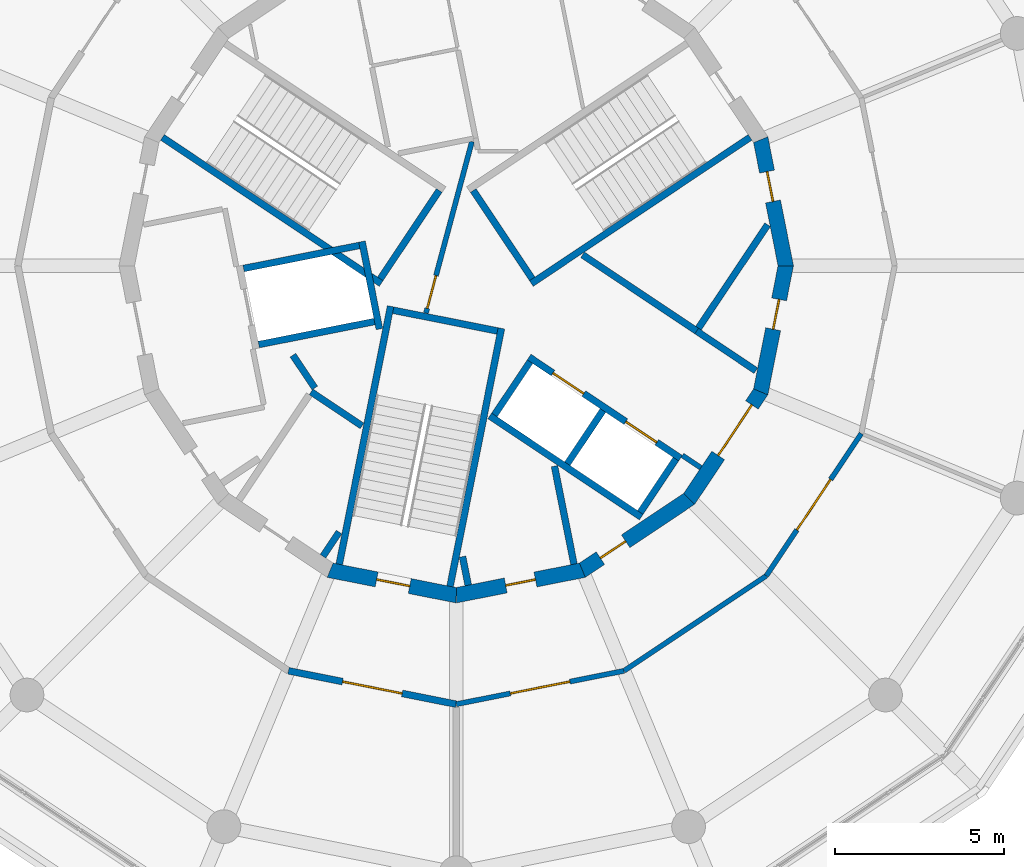
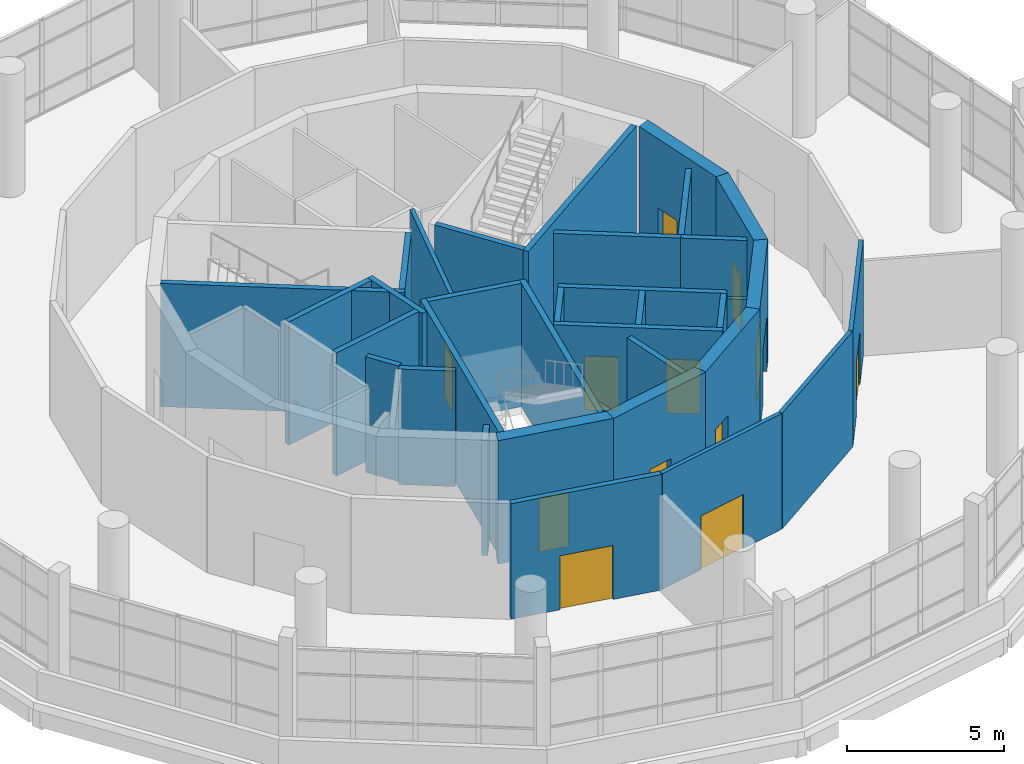
# One storey, part 27 of 40: 35 walls, 12 doors, 12 openings.
"""IFC4 building model written with IfcOpenShell, lengths in metres."""

from ifc_helpers import new_model, si_unit, direction, frame, frame_2d, origin, place, context, subcontext, project, spatial, polyline, rectangle, outline, extrude, material, layer, layer_set, type_object, element, fill, save


model = new_model("IFC4")

# Units and contexts
model_context = context("Model", 3, precision=1e-05, world=origin(), true_north=direction((0.0, 1.0)))
body_context = subcontext(model_context, "Body", "Model", "MODEL_VIEW")
ifc_project = project(units=[si_unit("LENGTHUNIT", "METRE"), si_unit("AREAUNIT", "SQUARE_METRE"), si_unit("VOLUMEUNIT", "CUBIC_METRE"), si_unit("PLANEANGLEUNIT", "RADIAN"), si_unit("MASSUNIT", "GRAM", prefix="KILO")], contexts=[model_context])

# Site, building, storey
site_placement = place(None, origin())
site = spatial("IfcSite", under=ifc_project, at=site_placement, CompositionType="ELEMENT")
building_placement = place(site_placement, origin())
building = spatial("IfcBuilding", under=site, at=building_placement, Name="Ceibo Conservatory and Research Tower", CompositionType="ELEMENT")
storey_placement = place(building_placement, frame((0.0, 0.0, 6.0)))
storey = spatial("IfcBuildingStorey", under=building, at=storey_placement, Name="L01", CompositionType="ELEMENT", Elevation=6.0)

# Wall, opening, door
ifc_material_1 = material(Name="Masonry blockwork", Category="masonry")
ifc_layer_1 = layer(ifc_material_1, 0.199951171875)
ifc_layer_set_1 = layer_set([ifc_layer_1], Name="Masonry blockwork")
wall_type_1 = type_object("IfcWallType", Name="Compartment wall 200 EI 120", PredefinedType="SOLIDWALL", material=ifc_layer_set_1)
wall_1_placement = place(storey_placement, frame((48.0, 107.0, 0.0), z_axis=(0.0, 0.0, 1.0), x_axis=(-0.980787465891, 0.195079334507, 0.0)))
wall_1 = element("IfcWall", 1, at=wall_1_placement, inside=storey, type_object=wall_type_1, Name="Partition 01.009", PredefinedType="SOLIDWALL", context=body_context, shape_type="SweptSolid", body=[
    extrude(rectangle(XDim=5.072265625, YDim=0.199951171875, at=frame_2d((2.5361328125, 0.0))), origin(), (0.0, 0.0, 1.0), 4.5),
])
opening_1_placement = place(wall_1_placement, frame((1.63623046875, 0.0, 0.0)))
opening_1 = element("IfcOpeningElement", 2, at=opening_1_placement, cuts=wall_1, Name="Opening T01-04", PredefinedType="OPENING", context=body_context, shape_type="SweptSolid", body=[
    extrude(rectangle(XDim=1.800048828125, YDim=2.10009765625, at=frame_2d((0.89990234375, 1.050048828125))), frame((0.0, 0.10986328125, 0.0), z_axis=(0.0, -1.0, 0.0), x_axis=(1.0, 0.0, 0.0)), (0.0, 0.0, 1.0), 0.219970703125),
])
ifc_material_2 = material(Name="Galvanised sheet steel DX51D", Category="steel")
door_type_1 = type_object("IfcDoorType", Name="Door fire double 1800x2100 EI 60", OperationType="DOUBLE_DOOR_SINGLE_SWING", PredefinedType="DOOR", material=ifc_material_2)
door_1_placement = place(opening_1_placement, origin())
door_1 = element("IfcDoor", 3, at=door_1_placement, inside=storey, type_object=door_type_1, Name="Door T01-04", OperationType="DOUBLE_DOOR_SINGLE_SWING", OverallHeight=2.10009765625, OverallWidth=1.800048828125, PredefinedType="DOOR", context=body_context, shape_type="SweptSolid", body=[
    extrude(rectangle(XDim=1.800048828125, YDim=2.10009765625, at=frame_2d((0.89990234375, 1.050048828125))), frame((0.0, 0.02490234375, 0.0), z_axis=(0.0, -1.0, 0.0), x_axis=(1.0, 0.0, 0.0)), (0.0, 0.0, 1.0), 0.050048828125),
])
fill(opening_1, door_1)

ifc_material_3 = material(Name="Concrete C40/50", Category="concrete")
ifc_layer_2 = layer(ifc_material_3, 0.449951171875)
ifc_layer_set_2 = layer_set([ifc_layer_2], Name="Concrete C40/50")
wall_type_2 = type_object("IfcWallType", Name="Core wall 450 C40", PredefinedType="SHEAR", material=ifc_layer_set_2)
wall_2_placement = place(storey_placement, frame((57.7705078125, 120.0, 0.0), z_axis=(0.0, 0.0, 1.0), x_axis=(-0.195069197673, 0.98078948206, 0.0)))
wall_2 = element("IfcWall", 4, at=wall_2_placement, inside=storey, type_object=wall_type_2, Name="Core wall L01 01", PredefinedType="SHEAR", context=body_context, shape_type="SweptSolid", body=[
    extrude(outline(polyline([(-0.044677734375, -0.22509765625), (3.85693359375, -0.22509765625), (3.767578125, 0.22509765625), (0.044677734375, 0.22509765625), (-0.044677734375, -0.22509765625)])), origin(), (0.0, 0.0, 1.0), 4.800048828125),
])
opening_2_placement = place(wall_2_placement, frame((1.944580078125, 0.0, 0.0)))
opening_2 = element("IfcOpeningElement", 5, at=opening_2_placement, cuts=wall_2, Name="Opening C01-04", PredefinedType="OPENING", context=body_context, shape_type="SweptSolid", body=[
    extrude(rectangle(XDim=0.89990234375, YDim=2.10009765625, at=frame_2d((0.449951171875, 1.050048828125))), frame((0.0, 0.23486328125, 0.0), z_axis=(0.0, -1.0, 0.0), x_axis=(1.0, 0.0, 0.0)), (0.0, 0.0, 1.0), 0.469970703125),
])
door_type_2 = type_object("IfcDoorType", Name="Riser door 900x2100 EI 60 (left hand)", OperationType="SINGLE_SWING_LEFT", PredefinedType="DOOR", material=ifc_material_2)
door_2_placement = place(opening_2_placement, origin())
door_2 = element("IfcDoor", 6, at=door_2_placement, inside=storey, type_object=door_type_2, Name="Store door 01", OperationType="SINGLE_SWING_LEFT", OverallHeight=2.10009765625, OverallWidth=0.89990234375, PredefinedType="DOOR", context=body_context, shape_type="SweptSolid", body=[
    extrude(rectangle(XDim=0.89990234375, YDim=2.10009765625, at=frame_2d((0.449951171875, 1.050048828125))), frame((0.0, 0.02490234375, 0.0), z_axis=(0.0, -1.0, 0.0), x_axis=(1.0, 0.0, 0.0)), (0.0, 0.0, 1.0), 0.050048828125),
])
fill(opening_2, door_2)

wall_3_placement = place(storey_placement, frame((44.260986328125, 110.97314453125, 0.0), z_axis=(0.0, 0.0, 1.0), x_axis=(0.98078948206, -0.195069197673, 0.0)))
wall_3 = element("IfcWall", 7, at=wall_3_placement, inside=storey, type_object=wall_type_2, Name="Core wall L01 12", PredefinedType="SHEAR", context=body_context, shape_type="SweptSolid", body=[
    extrude(outline(polyline([(-0.044677734375, -0.22509765625), (3.85693359375, -0.22509765625), (3.767578125, 0.22509765625), (0.044677734375, 0.22509765625), (-0.044677734375, -0.22509765625)])), origin(), (0.0, 0.0, 1.0), 4.800048828125),
])
opening_3_placement = place(wall_3_placement, frame((1.40625, 0.0, 0.0)))
opening_3 = element("IfcOpeningElement", 8, at=opening_3_placement, cuts=wall_3, Name="Opening C01-03", PredefinedType="OPENING", context=body_context, shape_type="SweptSolid", body=[
    extrude(rectangle(XDim=1.0, YDim=2.10009765625, at=frame_2d((0.5, 1.050048828125))), frame((0.0, 0.23486328125, 0.0), z_axis=(0.0, -1.0, 0.0), x_axis=(1.0, 0.0, 0.0)), (0.0, 0.0, 1.0), 0.469970703125),
])
door_type_3 = type_object("IfcDoorType", Name="Stair door 1000x2100 EI 120 (right hand)", OperationType="SINGLE_SWING_RIGHT", PredefinedType="DOOR", material=ifc_material_2)
door_3_placement = place(opening_3_placement, origin())
door_3 = element("IfcDoor", 9, at=door_3_placement, inside=storey, type_object=door_type_3, Name="Stair door ST3 01", OperationType="SINGLE_SWING_RIGHT", OverallHeight=2.10009765625, OverallWidth=1.0, PredefinedType="DOOR", context=body_context, shape_type="SweptSolid", body=[
    extrude(rectangle(XDim=1.0, YDim=2.10009765625, at=frame_2d((0.5, 1.050048828125))), frame((0.0, 0.02490234375, 0.0), z_axis=(0.0, -1.0, 0.0), x_axis=(1.0, 0.0, 0.0)), (0.0, 0.0, 1.0), 0.050048828125),
])
fill(opening_3, door_3)

wall_4_placement = place(storey_placement, frame((48.0, 110.2294921875, 0.0), z_axis=(0.0, 0.0, 1.0), x_axis=(0.98078948206, 0.195069197673, 0.0)))
wall_4 = element("IfcWall", 10, at=wall_4_placement, inside=storey, type_object=wall_type_2, Name="Core wall L01 13", PredefinedType="SHEAR", context=body_context, shape_type="SweptSolid", body=[
    extrude(outline(polyline([(-0.044677734375, -0.22509765625), (3.85693359375, -0.22509765625), (3.767578125, 0.22509765625), (0.044677734375, 0.22509765625), (-0.044677734375, -0.22509765625)])), origin(), (0.0, 0.0, 1.0), 4.800048828125),
])
opening_4_placement = place(wall_4_placement, frame((1.49462890625, 0.0, 0.0)))
opening_4 = element("IfcOpeningElement", 11, at=opening_4_placement, cuts=wall_4, Name="Opening C01-11", PredefinedType="OPENING", context=body_context, shape_type="SweptSolid", body=[
    extrude(rectangle(XDim=0.89990234375, YDim=2.10009765625, at=frame_2d((0.449951171875, 1.050048828125))), frame((0.0, 0.23486328125, 0.0), z_axis=(0.0, -1.0, 0.0), x_axis=(1.0, 0.0, 0.0)), (0.0, 0.0, 1.0), 0.469970703125),
])
door_4_placement = place(opening_4_placement, frame((0.89990234375, 0.0, 0.0), z_axis=(0.0, 0.0, 1.0), x_axis=(-1.0, 0.0, 0.0)))
door_4 = element("IfcDoor", 12, at=door_4_placement, inside=storey, type_object=door_type_2, Name="Fire Riser door 01", OperationType="SINGLE_SWING_LEFT", OverallHeight=2.10009765625, OverallWidth=0.89990234375, PredefinedType="DOOR", context=body_context, shape_type="SweptSolid", body=[
    extrude(rectangle(XDim=0.89990234375, YDim=2.10009765625, at=frame_2d((0.449951171875, 1.050048828125))), frame((0.0, 0.02490234375, 0.0), z_axis=(0.0, -1.0, 0.0), x_axis=(1.0, 0.0, 0.0)), (0.0, 0.0, 1.0), 0.050048828125),
])
fill(opening_4, door_4)

wall_5_placement = place(storey_placement, frame((51.739013671875, 110.97314453125, 0.0), z_axis=(0.0, 0.0, 1.0), x_axis=(0.83148829117, 0.555542277102, 0.0)))
wall_5 = element("IfcWall", 13, at=wall_5_placement, inside=storey, type_object=wall_type_2, Name="Core wall L01 14", PredefinedType="SHEAR", context=body_context, shape_type="SweptSolid", body=[
    extrude(outline(polyline([(-0.044677734375, -0.22509765625), (3.85693359375, -0.22509765625), (3.767578125, 0.22509765625), (0.044677734375, 0.22509765625), (-0.044677734375, -0.22509765625)])), origin(), (0.0, 0.0, 1.0), 4.800048828125),
])
opening_5_placement = place(wall_5_placement, frame((0.644775390625, 0.0, 0.0)))
opening_5 = element("IfcOpeningElement", 14, at=opening_5_placement, cuts=wall_5, Name="Opening C01-12", PredefinedType="OPENING", context=body_context, shape_type="SweptSolid", body=[
    extrude(rectangle(XDim=0.89990234375, YDim=2.10009765625, at=frame_2d((0.449951171875, 1.050048828125))), frame((0.0, 0.23486328125, 0.0), z_axis=(0.0, -1.0, 0.0), x_axis=(1.0, 0.0, 0.0)), (0.0, 0.0, 1.0), 0.469970703125),
])
door_5_placement = place(opening_5_placement, origin())
door_5 = element("IfcDoor", 15, at=door_5_placement, inside=storey, type_object=door_type_2, Name="Store door 01", OperationType="SINGLE_SWING_LEFT", OverallHeight=2.10009765625, OverallWidth=0.89990234375, PredefinedType="DOOR", context=body_context, shape_type="SweptSolid", body=[
    extrude(rectangle(XDim=0.89990234375, YDim=2.10009765625, at=frame_2d((0.449951171875, 1.050048828125))), frame((0.0, 0.02490234375, 0.0), z_axis=(0.0, -1.0, 0.0), x_axis=(1.0, 0.0, 0.0)), (0.0, 0.0, 1.0), 0.050048828125),
])
fill(opening_5, door_5)

wall_6_placement = place(storey_placement, frame((54.908935546875, 113.091064453125, 0.0), z_axis=(0.0, 0.0, 1.0), x_axis=(0.555542277102, 0.83148829117, 0.0)))
wall_6 = element("IfcWall", 16, at=wall_6_placement, inside=storey, type_object=wall_type_2, Name="Core wall L01 15", PredefinedType="SHEAR", context=body_context, shape_type="SweptSolid", body=[
    extrude(outline(polyline([(-0.044677734375, -0.22509765625), (3.85693359375, -0.22509765625), (3.767578125, 0.22509765625), (0.044677734375, 0.22509765625), (-0.044677734375, -0.22509765625)])), origin(), (0.0, 0.0, 1.0), 4.800048828125),
])
opening_6_placement = place(wall_6_placement, frame((1.544677734375, 0.0, 0.0)))
opening_6 = element("IfcOpeningElement", 17, at=opening_6_placement, cuts=wall_6, Name="Opening C01-14", PredefinedType="OPENING", context=body_context, shape_type="SweptSolid", body=[
    extrude(rectangle(XDim=1.800048828125, YDim=2.10009765625, at=frame_2d((0.89990234375, 1.050048828125))), frame((0.0, 0.23486328125, 0.0), z_axis=(0.0, -1.0, 0.0), x_axis=(1.0, 0.0, 0.0)), (0.0, 0.0, 1.0), 0.469970703125),
])
door_type_4 = type_object("IfcDoorType", Name="Lobby double door 1800x2100 EI 60", OperationType="DOUBLE_DOOR_SINGLE_SWING", PredefinedType="DOOR", material=ifc_material_2)
door_6_placement = place(opening_6_placement, frame((1.800048828125, 0.0, 0.0), z_axis=(0.0, 0.0, 1.0), x_axis=(-1.0, 0.0, 0.0)))
door_6 = element("IfcDoor", 18, at=door_6_placement, inside=storey, type_object=door_type_4, Name="Lift Lobby door 01", OperationType="DOUBLE_DOOR_SINGLE_SWING", OverallHeight=2.10009765625, OverallWidth=1.800048828125, PredefinedType="DOOR", context=body_context, shape_type="SweptSolid", body=[
    extrude(rectangle(XDim=1.800048828125, YDim=2.10009765625, at=frame_2d((0.89990234375, 1.050048828125))), frame((0.0, 0.02490234375, 0.0), z_axis=(0.0, -1.0, 0.0), x_axis=(1.0, 0.0, 0.0)), (0.0, 0.0, 1.0), 0.050048828125),
])
fill(opening_6, door_6)

wall_7_placement = place(storey_placement, frame((57.02685546875, 116.260986328125, 0.0), z_axis=(0.0, 0.0, 1.0), x_axis=(0.195069197673, 0.98078948206, 0.0)))
wall_7 = element("IfcWall", 19, at=wall_7_placement, inside=storey, type_object=wall_type_2, Name="Core wall L01 16", PredefinedType="SHEAR", context=body_context, shape_type="SweptSolid", body=[
    extrude(outline(polyline([(-0.044677734375, -0.22509765625), (3.85693359375, -0.22509765625), (3.767578125, 0.22509765625), (0.044677734375, 0.22509765625), (-0.044677734375, -0.22509765625)])), origin(), (0.0, 0.0, 1.0), 4.800048828125),
])
opening_7_placement = place(wall_7_placement, frame((1.894775390625, 0.0, 0.0)))
opening_7 = element("IfcOpeningElement", 20, at=opening_7_placement, cuts=wall_7, Name="Opening C01-05", PredefinedType="OPENING", context=body_context, shape_type="SweptSolid", body=[
    extrude(rectangle(XDim=0.89990234375, YDim=2.10009765625, at=frame_2d((0.449951171875, 1.050048828125))), frame((0.0, 0.23486328125, 0.0), z_axis=(0.0, -1.0, 0.0), x_axis=(1.0, 0.0, 0.0)), (0.0, 0.0, 1.0), 0.469970703125),
])
door_type_5 = type_object("IfcDoorType", Name="Riser door 900x2100 EI 60 (right hand)", OperationType="SINGLE_SWING_RIGHT", PredefinedType="DOOR", material=ifc_material_2)
door_7_placement = place(opening_7_placement, frame((0.89990234375, 0.0, 0.0), z_axis=(0.0, 0.0, 1.0), x_axis=(-1.0, 0.0, 0.0)))
door_7 = element("IfcDoor", 21, at=door_7_placement, inside=storey, type_object=door_type_5, Name="Electrical Riser door 01", OperationType="SINGLE_SWING_RIGHT", OverallHeight=2.10009765625, OverallWidth=0.89990234375, PredefinedType="DOOR", context=body_context, shape_type="SweptSolid", body=[
    extrude(rectangle(XDim=0.89990234375, YDim=2.10009765625, at=frame_2d((0.449951171875, 1.050048828125))), frame((0.0, 0.02490234375, 0.0), z_axis=(0.0, -1.0, 0.0), x_axis=(1.0, 0.0, 0.0)), (0.0, 0.0, 1.0), 0.050048828125),
])
fill(opening_7, door_7)

# Wall
ifc_material_4 = material(Name="Plasterboard on metal studs, fire board")
ifc_layer_3 = layer(ifc_material_4, 0.14990234375)
ifc_layer_set_3 = layer_set([ifc_layer_3], Name="Plasterboard on metal studs, fire board")
wall_type_3 = type_object("IfcWallType", Name="Corridor wall 150 EI 60", PredefinedType="PARTITIONING", material=ifc_layer_set_3)
wall_8_placement = place(storey_placement, frame((54.7060546875, 114.376708984375, 0.0), z_axis=(0.0, 0.0, 1.0), x_axis=(0.831421626399, -0.555642042286, 0.0)))
element("IfcWall", 22, at=wall_8_placement, inside=storey, type_object=wall_type_3, Name="Core partition 01.P025", PredefinedType="PARTITIONING", context=body_context, shape_type="SweptSolid", body=[
    extrude(rectangle(XDim=0.65771484375, YDim=0.14990234375, at=frame_2d((0.328857421875, 0.0))), origin(), (0.0, 0.0, 1.0), 4.5),
])

# Wall, opening, door
wall_9_placement = place(storey_placement, frame((47.10205078125, 118.595458984375, 0.0), z_axis=(0.0, 0.0, 1.0), x_axis=(0.258814124304, 0.9659271448, 0.0)))
wall_9 = element("IfcWall", 23, at=wall_9_placement, inside=storey, type_object=wall_type_3, Name="Core partition 01.P026", PredefinedType="PARTITIONING", context=body_context, shape_type="SweptSolid", body=[
    extrude(rectangle(XDim=5.2646484375, YDim=0.14990234375, at=frame_2d((2.63232421875, 0.0))), origin(), (0.0, 0.0, 1.0), 4.5),
])
opening_8_placement = place(wall_9_placement, frame((0.14990234375, 0.0, 0.0)))
opening_8 = element("IfcOpeningElement", 24, at=opening_8_placement, cuts=wall_9, Name="Opening C01-18", PredefinedType="OPENING", context=body_context, shape_type="SweptSolid", body=[
    extrude(rectangle(XDim=1.0, YDim=2.10009765625, at=frame_2d((0.5, 1.050048828125))), frame((0.0, 0.0849609375, 0.0), z_axis=(0.0, -1.0, 0.0), x_axis=(1.0, 0.0, 0.0)), (0.0, 0.0, 1.0), 0.169921875),
])
door_type_6 = type_object("IfcDoorType", Name="Lobby door 1000x2100 EI 60 (right hand)", OperationType="SINGLE_SWING_RIGHT", PredefinedType="DOOR", material=ifc_material_2)
door_8_placement = place(opening_8_placement, frame((1.0, 0.0, 0.0), z_axis=(0.0, 0.0, 1.0), x_axis=(-1.0, 0.0, 0.0)))
door_8 = element("IfcDoor", 25, at=door_8_placement, inside=storey, type_object=door_type_6, Name="Door Lift Lobby 01.01", OperationType="SINGLE_SWING_RIGHT", OverallHeight=2.10009765625, OverallWidth=1.0, PredefinedType="DOOR", context=body_context, shape_type="SweptSolid", body=[
    extrude(rectangle(XDim=1.0, YDim=2.10009765625, at=frame_2d((0.5, 1.050048828125))), frame((0.0, 0.02490234375, 0.0), z_axis=(0.0, -1.0, 0.0), x_axis=(1.0, 0.0, 0.0)), (0.0, 0.0, 1.0), 0.050048828125),
])
fill(opening_8, door_8)

wall_10_placement = place(storey_placement, frame((60.010498046875, 115.025146484375, 0.0), z_axis=(0.0, 0.0, 1.0), x_axis=(-0.555577354854, -0.831464853601, 0.0)))
wall_10 = element("IfcWall", 26, at=wall_10_placement, inside=storey, type_object=wall_type_3, Name="Partition 01.013", PredefinedType="PARTITIONING", context=body_context, shape_type="SweptSolid", body=[
    extrude(rectangle(XDim=5.072509765625, YDim=0.14990234375, at=frame_2d((2.5361328125, 0.0))), origin(), (0.0, 0.0, 1.0), 4.5),
])
opening_9_placement = place(wall_10_placement, frame((1.63623046875, 0.0, 0.0)))
opening_9 = element("IfcOpeningElement", 27, at=opening_9_placement, cuts=wall_10, Name="Opening T01-06", PredefinedType="OPENING", context=body_context, shape_type="SweptSolid", body=[
    extrude(rectangle(XDim=1.800048828125, YDim=2.10009765625, at=frame_2d((0.89990234375, 1.050048828125))), frame((0.0, 0.0849609375, 0.0), z_axis=(0.0, -1.0, 0.0), x_axis=(1.0, 0.0, 0.0)), (0.0, 0.0, 1.0), 0.169921875),
])
door_9_placement = place(opening_9_placement, origin())
door_9 = element("IfcDoor", 28, at=door_9_placement, inside=storey, type_object=door_type_1, Name="Door T01-06", OperationType="DOUBLE_DOOR_SINGLE_SWING", OverallHeight=2.10009765625, OverallWidth=1.800048828125, PredefinedType="DOOR", context=body_context, shape_type="SweptSolid", body=[
    extrude(rectangle(XDim=1.800048828125, YDim=2.10009765625, at=frame_2d((0.89990234375, 1.050048828125))), frame((0.0, 0.02490234375, 0.0), z_axis=(0.0, -1.0, 0.0), x_axis=(1.0, 0.0, 0.0)), (0.0, 0.0, 1.0), 0.050048828125),
])
fill(opening_9, door_9)

# Wall
wall_11_placement = place(storey_placement, frame((57.1923828125, 110.8076171875, 0.0), z_axis=(0.0, 0.0, 1.0), x_axis=(-0.831464853601, -0.555577354854, 0.0)))
element("IfcWall", 29, at=wall_11_placement, inside=storey, type_object=wall_type_3, Name="Partition 01.014", PredefinedType="PARTITIONING", context=body_context, shape_type="SweptSolid", body=[
    extrude(rectangle(XDim=5.072509765625, YDim=0.14990234375, at=frame_2d((2.5361328125, 0.0))), origin(), (0.0, 0.0, 1.0), 4.5),
])

# Wall, opening, door
wall_12_placement = place(storey_placement, frame((52.974853515625, 107.989501953125, 0.0), z_axis=(0.0, 0.0, 1.0), x_axis=(-0.980787465891, -0.195079334507, 0.0)))
wall_12 = element("IfcWall", 30, at=wall_12_placement, inside=storey, type_object=wall_type_3, Name="Partition 01.015", PredefinedType="PARTITIONING", context=body_context, shape_type="SweptSolid", body=[
    extrude(rectangle(XDim=5.072265625, YDim=0.14990234375, at=frame_2d((2.5361328125, 0.0))), origin(), (0.0, 0.0, 1.0), 4.5),
])
opening_10_placement = place(wall_12_placement, frame((1.63623046875, 0.0, 0.0)))
opening_10 = element("IfcOpeningElement", 31, at=opening_10_placement, cuts=wall_12, Name="Opening T01-05", PredefinedType="OPENING", context=body_context, shape_type="SweptSolid", body=[
    extrude(rectangle(XDim=1.800048828125, YDim=2.10009765625, at=frame_2d((0.89990234375, 1.050048828125))), frame((0.0, 0.0849609375, 0.0), z_axis=(0.0, -1.0, 0.0), x_axis=(1.0, 0.0, 0.0)), (0.0, 0.0, 1.0), 0.169921875),
])
door_10_placement = place(opening_10_placement, origin())
door_10 = element("IfcDoor", 32, at=door_10_placement, inside=storey, type_object=door_type_1, Name="Door T01-05", OperationType="DOUBLE_DOOR_SINGLE_SWING", OverallHeight=2.10009765625, OverallWidth=1.800048828125, PredefinedType="DOOR", context=body_context, shape_type="SweptSolid", body=[
    extrude(rectangle(XDim=1.800048828125, YDim=2.10009765625, at=frame_2d((0.89990234375, 1.050048828125))), frame((0.0, 0.02490234375, 0.0), z_axis=(0.0, -1.0, 0.0), x_axis=(1.0, 0.0, 0.0)), (0.0, 0.0, 1.0), 0.050048828125),
])
fill(opening_10, door_10)

# Walls
ifc_layer_4 = layer(ifc_material_1, 0.199951171875)
ifc_layer_set_4 = layer_set([ifc_layer_4], Name="Masonry blockwork")
wall_type_4 = type_object("IfcWallType", Name="Riser wall 200 EI 120", PredefinedType="SOLIDWALL", material=ifc_layer_set_4)
wall_13_placement = place(storey_placement, frame((55.1259765625, 118.06494140625, 0.0), z_axis=(0.0, 0.0, 1.0), x_axis=(-0.831495502265, 0.555531483998, 0.0)))
element("IfcWall", 33, at=wall_13_placement, inside=storey, type_object=wall_type_4, Name="Core partition 01.P001", PredefinedType="SOLIDWALL", context=body_context, shape_type="SweptSolid", body=[
    extrude(rectangle(XDim=4.065185546875, YDim=0.199951171875, at=frame_2d((2.03271484375, 0.0))), origin(), (0.0, 0.0, 1.0), 4.5),
])
wall_14_placement = place(storey_placement, frame((57.23095703125, 121.21533203125, 0.0), z_axis=(0.0, 0.0, 1.0), x_axis=(-0.555600969312, -0.831449074147, 0.0)))
element("IfcWall", 34, at=wall_14_placement, inside=storey, type_object=wall_type_4, Name="Core partition 01.P002", PredefinedType="SOLIDWALL", context=body_context, shape_type="SweptSolid", body=[
    extrude(rectangle(XDim=3.68896484375, YDim=0.199951171875, at=frame_2d((1.844482421875, 0.0))), origin(), (0.0, 0.0, 1.0), 4.5),
])
wall_15_placement = place(storey_placement, frame((56.884765625, 116.8896484375, 0.0), z_axis=(0.0, 0.0, 1.0), x_axis=(-0.831446094913, 0.555605427667, 0.0)))
element("IfcWall", 35, at=wall_15_placement, inside=storey, type_object=wall_type_4, Name="Core partition 01.P003", PredefinedType="SOLIDWALL", context=body_context, shape_type="SweptSolid", body=[
    extrude(rectangle(XDim=2.115234375, YDim=0.199951171875, at=frame_2d((1.0576171875, 0.0))), origin(), (0.0, 0.0, 1.0), 4.5),
])
wall_16_placement = place(storey_placement, frame((43.697265625, 116.26025390625, 0.0), z_axis=(0.0, 0.0, 1.0), x_axis=(0.831408849916, -0.555661159593, 0.0)))
element("IfcWall", 36, at=wall_16_placement, inside=storey, type_object=wall_type_4, Name="Core partition 01.P018", PredefinedType="SOLIDWALL", context=body_context, shape_type="SweptSolid", body=[
    extrude(rectangle(XDim=1.81689453125, YDim=0.199951171875, at=frame_2d((0.908447265625, 0.0))), origin(), (0.0, 0.0, 1.0), 4.5),
])
wall_17_placement = place(storey_placement, frame((44.52783203125, 112.103515625, 0.0), z_axis=(0.0, 0.0, 1.0), x_axis=(-0.55561384329, -0.831440471197, 0.0)))
element("IfcWall", 37, at=wall_17_placement, inside=storey, type_object=wall_type_4, Name="Core partition 01.P019", PredefinedType="SOLIDWALL", context=body_context, shape_type="SweptSolid", body=[
    extrude(rectangle(XDim=0.863037109375, YDim=0.199951171875, at=frame_2d((0.431640625, 0.0))), origin(), (0.0, 0.0, 1.0), 4.5),
])
wall_18_placement = place(storey_placement, frame((43.1572265625, 117.347900390625, 0.0), z_axis=(0.0, 0.0, 1.0), x_axis=(0.555615365777, -0.831439453786, 0.0)))
element("IfcWall", 38, at=wall_18_placement, inside=storey, type_object=wall_type_4, Name="Core partition 01.P021", PredefinedType="SOLIDWALL", context=body_context, shape_type="SweptSolid", body=[
    extrude(rectangle(XDim=1.169189453125, YDim=0.199951171875, at=frame_2d((0.58447265625, 0.0))), origin(), (0.0, 0.0, 1.0), 4.5),
])
wall_19_placement = place(storey_placement, frame((50.912353515625, 114.059326171875, 0.0), z_axis=(0.0, 0.0, 1.0), x_axis=(0.195101986683, -0.980782960085, 0.0)))
element("IfcWall", 39, at=wall_19_placement, inside=storey, type_object=wall_type_4, Name="Core partition 01.P023", PredefinedType="SOLIDWALL", context=body_context, shape_type="SweptSolid", body=[
    extrude(rectangle(XDim=2.963134765625, YDim=0.199951171875, at=frame_2d((1.4814453125, 0.0))), origin(), (0.0, 0.0, 1.0), 4.5),
])
wall_20_placement = place(storey_placement, frame((48.354248046875, 110.529296875, 0.0), z_axis=(0.0, 0.0, 1.0), x_axis=(-0.194865027791, 0.980830067312, 0.0)))
element("IfcWall", 40, at=wall_20_placement, inside=storey, type_object=wall_type_4, Name="Core partition 01.P024", PredefinedType="SOLIDWALL", context=body_context, shape_type="SweptSolid", body=[
    extrude(rectangle(XDim=0.86328125, YDim=0.199951171875, at=frame_2d((0.431640625, 0.0))), origin(), (0.0, 0.0, 1.0), 4.5),
])

# Wall, openings, doors
ifc_layer_5 = layer(ifc_material_3, 0.199951171875)
ifc_layer_set_5 = layer_set([ifc_layer_5], Name="Concrete C40/50")
wall_type_5 = type_object("IfcWallType", Name="Shaft wall 200 C40", PredefinedType="SHEAR", material=ifc_layer_set_5)
wall_21_placement = place(storey_placement, frame((50.160400390625, 117.29345703125, 0.0), z_axis=(0.0, 0.0, 1.0), x_axis=(0.831479497601, -0.55555543834, 0.0)))
wall_21 = element("IfcWall", 41, at=wall_21_placement, inside=storey, type_object=wall_type_5, Name="Shaft wall LRB.F L01", PredefinedType="SHEAR", context=body_context, shape_type="SweptSolid", body=[
    extrude(rectangle(XDim=5.39990234375, YDim=0.199951171875, at=frame_2d((2.699951171875, 0.0))), origin(), (0.0, 0.0, 1.0), 4.800048828125),
])
opening_11_placement = place(wall_21_placement, frame((0.85009765625, 0.0, 0.0)))
opening_11 = element("IfcOpeningElement", 42, at=opening_11_placement, cuts=wall_21, Name="Opening LD-LP1-01", PredefinedType="OPENING", context=body_context, shape_type="SweptSolid", body=[
    extrude(rectangle(XDim=1.10009765625, YDim=2.10009765625, at=frame_2d((0.550048828125, 1.050048828125))), frame((0.0, 0.10986328125, 0.0), z_axis=(0.0, -1.0, 0.0), x_axis=(1.0, 0.0, 0.0)), (0.0, 0.0, 1.0), 0.219970703125),
])
opening_12_placement = place(wall_21_placement, frame((3.4501953125, 0.0, 0.0)))
opening_12 = element("IfcOpeningElement", 43, at=opening_12_placement, cuts=wall_21, Name="Opening LD-LP2-01", PredefinedType="OPENING", context=body_context, shape_type="SweptSolid", body=[
    extrude(rectangle(XDim=1.10009765625, YDim=2.10009765625, at=frame_2d((0.550048828125, 1.050048828125))), frame((0.0, 0.10986328125, 0.0), z_axis=(0.0, -1.0, 0.0), x_axis=(1.0, 0.0, 0.0)), (0.0, 0.0, 1.0), 0.219970703125),
])
ifc_material_5 = material(Name="Stainless steel AISI 316", Category="steel")
door_type_7 = type_object("IfcDoorType", Name="Lift landing door 1100x2100 EI 120", OperationType="SLIDING_TO_LEFT", PredefinedType="DOOR", material=ifc_material_5)
door_11_placement = place(opening_11_placement, origin())
door_11 = element("IfcDoor", 44, at=door_11_placement, inside=storey, type_object=door_type_7, Name="Lift landing door LP1 01", OperationType="SLIDING_TO_LEFT", OverallHeight=2.10009765625, OverallWidth=1.10009765625, PredefinedType="DOOR", context=body_context, shape_type="SweptSolid", body=[
    extrude(rectangle(XDim=1.10009765625, YDim=2.10009765625, at=frame_2d((0.550048828125, 1.050048828125))), frame((0.0, 0.02490234375, 0.0), z_axis=(0.0, -1.0, 0.0), x_axis=(1.0, 0.0, 0.0)), (0.0, 0.0, 1.0), 0.050048828125),
])
fill(opening_11, door_11)
door_12_placement = place(opening_12_placement, origin())
door_12 = element("IfcDoor", 45, at=door_12_placement, inside=storey, type_object=door_type_7, Name="Lift landing door LP2 01", OperationType="SLIDING_TO_LEFT", OverallHeight=2.10009765625, OverallWidth=1.10009765625, PredefinedType="DOOR", context=body_context, shape_type="SweptSolid", body=[
    extrude(rectangle(XDim=1.10009765625, YDim=2.10009765625, at=frame_2d((0.550048828125, 1.050048828125))), frame((0.0, 0.02490234375, 0.0), z_axis=(0.0, -1.0, 0.0), x_axis=(1.0, 0.0, 0.0)), (0.0, 0.0, 1.0), 0.050048828125),
])
fill(opening_12, door_12)

# Walls
wall_22_placement = place(storey_placement, frame((48.993896484375, 115.547607421875, 0.0), z_axis=(0.0, 0.0, 1.0), x_axis=(0.831444656906, -0.555607579593, 0.0)))
element("IfcWall", 46, at=wall_22_placement, inside=storey, type_object=wall_type_5, Name="Shaft wall LRB.B L01", PredefinedType="SHEAR", context=body_context, shape_type="SweptSolid", body=[
    extrude(rectangle(XDim=5.39990234375, YDim=0.199951171875, at=frame_2d((2.699951171875, 0.0))), origin(), (0.0, 0.0, 1.0), 4.800048828125),
])
wall_23_placement = place(storey_placement, frame((50.18798828125, 117.15478515625, 0.0), z_axis=(0.0, 0.0, 1.0), x_axis=(-0.555559945722, -0.831476485963, 0.0)))
element("IfcWall", 47, at=wall_23_placement, inside=storey, type_object=wall_type_5, Name="Shaft wall LRB.X0 L01", PredefinedType="SHEAR", context=body_context, shape_type="SweptSolid", body=[
    extrude(rectangle(XDim=1.899658203125, YDim=0.199951171875, at=frame_2d((0.94970703125, 0.0))), origin(), (0.0, 0.0, 1.0), 4.800048828125),
])
wall_24_placement = place(storey_placement, frame((52.349853515625, 115.71044921875, 0.0), z_axis=(0.0, 0.0, 1.0), x_axis=(-0.55550058618, -0.831516144614, 0.0)))
element("IfcWall", 48, at=wall_24_placement, inside=storey, type_object=wall_type_5, Name="Shaft wall LRB.X1 L01", PredefinedType="SHEAR", context=body_context, shape_type="SweptSolid", body=[
    extrude(rectangle(XDim=1.89990234375, YDim=0.199951171875, at=frame_2d((0.949951171875, 0.0))), origin(), (0.0, 0.0, 1.0), 4.800048828125),
])
wall_25_placement = place(storey_placement, frame((54.51171875, 114.265869140625, 0.0), z_axis=(0.0, 0.0, 1.0), x_axis=(-0.555589423235, -0.83145678949, 0.0)))
element("IfcWall", 49, at=wall_25_placement, inside=storey, type_object=wall_type_5, Name="Shaft wall LRB.X2 L01", PredefinedType="SHEAR", context=body_context, shape_type="SweptSolid", body=[
    extrude(rectangle(XDim=1.900146484375, YDim=0.199951171875, at=frame_2d((0.9501953125, 0.0))), origin(), (0.0, 0.0, 1.0), 4.800048828125),
])
wall_26_placement = place(storey_placement, frame((45.2060546875, 120.71875, 0.0), z_axis=(0.0, 0.0, 1.0), x_axis=(0.195158270522, -0.980771762158, 0.0)))
element("IfcWall", 50, at=wall_26_placement, inside=storey, type_object=wall_type_5, Name="Shaft wall LG1.B L01", PredefinedType="SHEAR", context=body_context, shape_type="SweptSolid", body=[
    extrude(rectangle(XDim=2.64697265625, YDim=0.199951171875, at=frame_2d((1.323486328125, 0.0))), origin(), (0.0, 0.0, 1.0), 4.800048828125),
])
wall_27_placement = place(storey_placement, frame((45.576171875, 118.345458984375, 0.0), z_axis=(0.0, 0.0, 1.0), x_axis=(-0.980781381237, -0.195109923423, 0.0)))
element("IfcWall", 51, at=wall_27_placement, inside=storey, type_object=wall_type_5, Name="Shaft wall LG1.S1 L01", PredefinedType="SHEAR", context=body_context, shape_type="SweptSolid", body=[
    extrude(rectangle(XDim=3.5, YDim=0.199951171875, at=frame_2d((1.75, 0.0))), origin(), (0.0, 0.0, 1.0), 4.800048828125),
])
wall_28_placement = place(storey_placement, frame((45.12744140625, 120.60107421875, 0.0), z_axis=(0.0, 0.0, 1.0), x_axis=(-0.980794727808, -0.195042820694, 0.0)))
element("IfcWall", 52, at=wall_28_placement, inside=storey, type_object=wall_type_5, Name="Shaft wall LG1.S2 L01", PredefinedType="SHEAR", context=body_context, shape_type="SweptSolid", body=[
    extrude(rectangle(XDim=3.499755859375, YDim=0.199951171875, at=frame_2d((1.75, 0.0))), origin(), (0.0, 0.0, 1.0), 4.800048828125),
])
ifc_layer_6 = layer(ifc_material_3, 0.199951171875)
ifc_layer_set_6 = layer_set([ifc_layer_6], Name="Concrete C40/50")
wall_type_6 = type_object("IfcWallType", Name="Stair wall 200 C40", PredefinedType="SHEAR", material=ifc_layer_set_6)
wall_29_placement = place(storey_placement, frame((50.225830078125, 119.472900390625, 0.0), z_axis=(0.0, 0.0, 1.0), x_axis=(0.831486463828, 0.555545012102, 0.0)))
element("IfcWall", 53, at=wall_29_placement, inside=storey, type_object=wall_type_6, Name="Stair wall ST1.W2 L01", PredefinedType="SHEAR", context=body_context, shape_type="SweptSolid", body=[
    extrude(rectangle(XDim=7.800048828125, YDim=0.199951171875, at=frame_2d((3.89990234375, 0.0))), origin(), (0.0, 0.0, 1.0), 4.800048828125),
])
wall_30_placement = place(storey_placement, frame((50.25341796875, 119.611572265625, 0.0), z_axis=(0.0, 0.0, 1.0), x_axis=(-0.55555842186, 0.831477504146, 0.0)))
element("IfcWall", 54, at=wall_30_placement, inside=storey, type_object=wall_type_6, Name="Stair wall ST1.W3 L01", PredefinedType="SHEAR", context=body_context, shape_type="SweptSolid", body=[
    extrude(rectangle(XDim=3.14990234375, YDim=0.199951171875, at=frame_2d((1.574951171875, 0.0))), origin(), (0.0, 0.0, 1.0), 4.800048828125),
])
wall_31_placement = place(storey_placement, frame((45.774169921875, 119.472900390625, 0.0), z_axis=(0.0, 0.0, 1.0), x_axis=(-0.831486463828, 0.555545012102, 0.0)))
element("IfcWall", 55, at=wall_31_placement, inside=storey, type_object=wall_type_6, Name="Stair wall ST2.W1 L01", PredefinedType="SHEAR", context=body_context, shape_type="SweptSolid", body=[
    extrude(rectangle(XDim=7.800048828125, YDim=0.199951171875, at=frame_2d((3.89990234375, 0.0))), origin(), (0.0, 0.0, 1.0), 4.800048828125),
])
wall_32_placement = place(storey_placement, frame((47.49658203125, 122.230712890625, 0.0), z_axis=(0.0, 0.0, 1.0), x_axis=(-0.55555842186, -0.831477504146, 0.0)))
element("IfcWall", 56, at=wall_32_placement, inside=storey, type_object=wall_type_6, Name="Stair wall ST2.W3 L01", PredefinedType="SHEAR", context=body_context, shape_type="SweptSolid", body=[
    extrude(rectangle(XDim=3.14990234375, YDim=0.199951171875, at=frame_2d((1.574951171875, 0.0))), origin(), (0.0, 0.0, 1.0), 4.800048828125),
])
for number, where, z_axis, x_axis, name in (
    (57, (49.3388671875, 118.145263671875, 0.0), (0.0, 0.0, 1.0), (-0.195092759861, -0.980784795483, 0.0), "Stair wall ST3.W1 L01"),
    (58, (46.05322265625, 118.798828125, 0.0), (0.0, 0.0, 1.0), (-0.195092759861, -0.980784795483, 0.0), "Stair wall ST3.W2 L01"),
):
    element("IfcWall", number, at=place(storey_placement, frame(where, z_axis=z_axis, x_axis=x_axis)), inside=storey, type_object=wall_type_6, Name=name, PredefinedType="SHEAR", context=body_context, shape_type="SweptSolid", body=[
        extrude(rectangle(XDim=7.800048828125, YDim=0.199951171875, at=frame_2d((3.89990234375, 0.0))), origin(), (0.0, 0.0, 1.0), 4.800048828125),
    ])
wall_33_placement = place(storey_placement, frame((46.1318359375, 118.68115234375, 0.0), z_axis=(0.0, 0.0, 1.0), x_axis=(0.980785830564, -0.195087556151, 0.0)))
element("IfcWall", 59, at=wall_33_placement, inside=storey, type_object=wall_type_6, Name="Stair wall ST3.W3 L01", PredefinedType="SHEAR", context=body_context, shape_type="SweptSolid", body=[
    extrude(rectangle(XDim=3.14990234375, YDim=0.199951171875, at=frame_2d((1.574951171875, 0.0))), origin(), (0.0, 0.0, 1.0), 4.800048828125),
])

save(model, "model.ifc")
